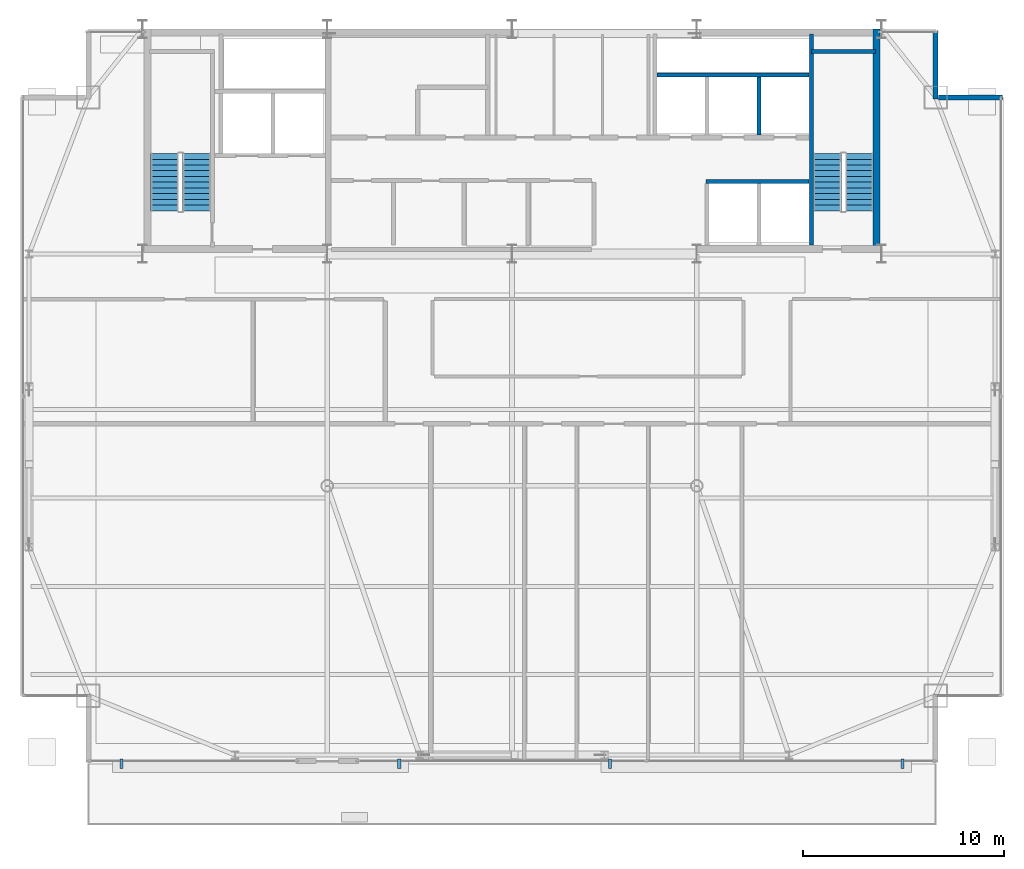
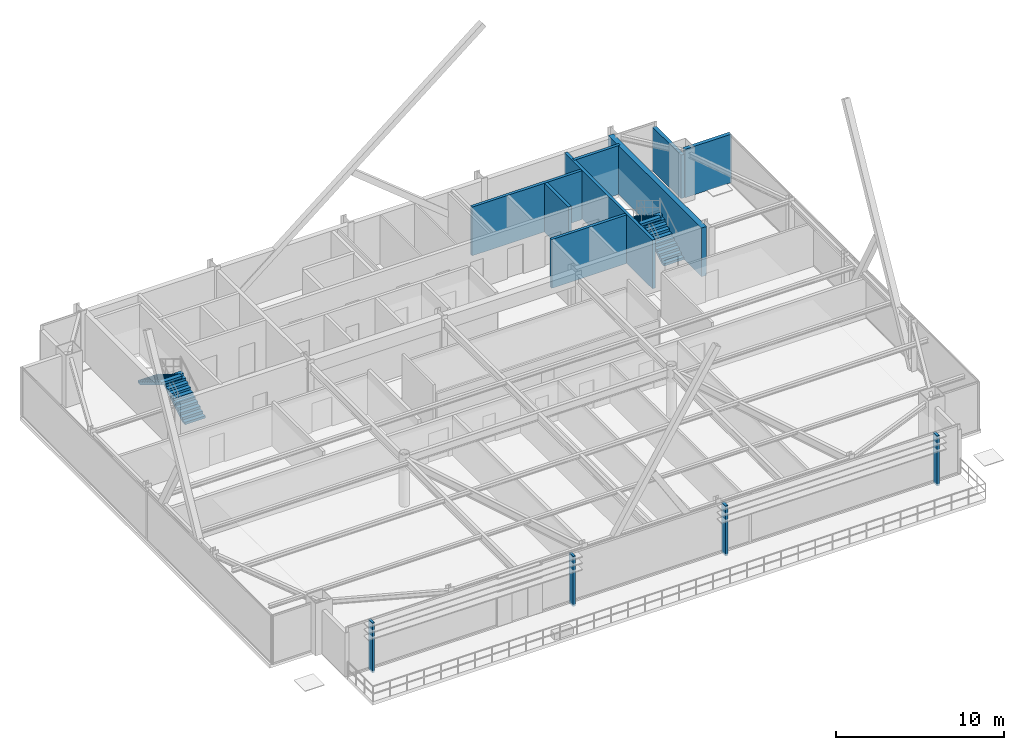
# One storey, part 30 of 33: 8 walls, 4 discrete accessories, 4 stair flights, 2 elements without a shape of their own.
"""IFC4 building model written with IfcOpenShell, lengths in metres."""

from ifc_helpers import new_model, si_unit, direction, frame, frame_2d, origin, origin_2d, place, context, subcontext, project, spatial, polyline, rectangle, outline, extrude, source, transform, mapped, material, layer, layer_set, type_object, type_shapes, element, aggregate, save


model = new_model("IFC4")

# Units and contexts
model_context = context("Model", 3, precision=1e-05, world=origin(), true_north=direction((0.0, 1.0)))
body_context = subcontext(model_context, "Body", "Model", "MODEL_VIEW")
ifc_project = project(units=[si_unit("LENGTHUNIT", "METRE"), si_unit("AREAUNIT", "SQUARE_METRE"), si_unit("VOLUMEUNIT", "CUBIC_METRE"), si_unit("PLANEANGLEUNIT", "RADIAN"), si_unit("MASSUNIT", "GRAM", prefix="KILO")], contexts=[model_context])

# Site, building, storey
site_placement = place(None, origin())
site = spatial("IfcSite", under=ifc_project, at=site_placement, CompositionType="ELEMENT")
building_placement = place(site_placement, origin())
building = spatial("IfcBuilding", under=site, at=building_placement, Name="Varnel Quay Broadcast Tower", CompositionType="ELEMENT")
storey_placement = place(building_placement, frame((0.0, 0.0, 199.800048828125)))
storey = spatial("IfcBuildingStorey", under=building, at=storey_placement, Name="L49", CompositionType="ELEMENT", Elevation=199.800048828125)

# Walls
ifc_material_1 = material(Name="Concrete CSA A23.3 C50/60", Category="concrete")
ifc_layer_1 = layer(ifc_material_1, 0.199951171875, Name="Concrete CSA A23.3 C50/60")
ifc_layer_set_1 = layer_set([ifc_layer_1], Name="Concrete CSA A23.3 C50/60")
wall_type_1 = type_object("IfcWallType", Name="Wall_CoreShaftShear200", PredefinedType="SHEAR", material=ifc_layer_set_1)
wall_1_placement = place(storey_placement, frame((48.919921875, 36.050048828125, 0.0), z_axis=(0.0, 0.0, 1.0), x_axis=(0.0, 1.0, 0.0)))
element("IfcWall", 1, at=wall_1_placement, inside=storey, type_object=wall_type_1, Name="L49 Stair 2 West Structural Wall", PredefinedType="SHEAR", context=body_context, shape_type="SweptSolid", body=[
    extrude(rectangle(XDim=10.5, YDim=0.199951171875, at=frame_2d((5.25, 0.0))), origin(), (0.0, 0.0, 1.0), 3.550048828125),
])
wall_2_placement = place(storey_placement, frame((48.919921875, 45.679931640625, 0.0), z_axis=(0.0, 0.0, 1.0), x_axis=(1.0, 0.0, 0.0)))
element("IfcWall", 2, at=wall_2_placement, inside=storey, type_object=wall_type_1, Name="L49 Stair 2 North Structural Wall", PredefinedType="SHEAR", context=body_context, shape_type="SweptSolid", body=[
    extrude(rectangle(XDim=3.18017578125, YDim=0.199951171875, at=frame_2d((1.590087890625, 0.0))), origin(), (0.0, 0.0, 1.0), 3.550048828125),
])
wall_3_placement = place(storey_placement, frame((41.219970703125, 44.5, 0.0), z_axis=(0.0, 0.0, 1.0), x_axis=(1.0, 0.0, 0.0)))
element("IfcWall", 3, at=wall_3_placement, inside=storey, type_object=wall_type_1, Name="L49 High-Rise Lift Shaft Rear Wall", PredefinedType="SHEAR", context=body_context, shape_type="SweptSolid", body=[
    extrude(rectangle(XDim=7.580078125, YDim=0.199951171875, at=frame_2d((3.7900390625, 0.0))), origin(), (0.0, 0.0, 1.0), 3.550048828125),
])
wall_4_placement = place(storey_placement, frame((46.300048828125, 41.530029296875, 0.0), z_axis=(0.0, 0.0, 1.0), x_axis=(0.0, 1.0, 0.0)))
element("IfcWall", 4, at=wall_4_placement, inside=storey, type_object=wall_type_1, Name="L49 High-Rise Lift Shaft Divider 3", PredefinedType="SHEAR", context=body_context, shape_type="SweptSolid", body=[
    extrude(rectangle(XDim=2.869873046875, YDim=0.199951171875, at=frame_2d((1.43505859375, 0.0))), origin(), (0.0, 0.0, 1.0), 3.550048828125),
])
wall_5_placement = place(storey_placement, frame((43.64990234375, 39.199951171875, 0.0), z_axis=(0.0, 0.0, 1.0), x_axis=(1.0, 0.0, 0.0)))
element("IfcWall", 5, at=wall_5_placement, inside=storey, type_object=wall_type_1, Name="L49 Express Lift Shaft North Front Wall", PredefinedType="SHEAR", context=body_context, shape_type="SweptSolid", body=[
    extrude(rectangle(XDim=5.150146484375, YDim=0.199951171875, at=frame_2d((2.5751953125, 0.0))), origin(), (0.0, 0.0, 1.0), 3.550048828125),
])
ifc_layer_2 = layer(ifc_material_1, 0.35009765625, Name="Concrete CSA A23.3 C50/60")
ifc_layer_set_2 = layer_set([ifc_layer_2], Name="Concrete CSA A23.3 C50/60")
wall_type_2 = type_object("IfcWallType", Name="Wall_CoreShearInt350", PredefinedType="SHEAR", material=ifc_layer_set_2)
wall_6_placement = place(storey_placement, frame((52.155029296875, 35.669921875, 0.0), z_axis=(0.0, 0.0, 1.0), x_axis=(0.0, 1.0, 0.0)))
element("IfcWall", 6, at=wall_6_placement, inside=storey, type_object=wall_type_2, Name="L49 East Core Shear Wall", PredefinedType="SHEAR", context=body_context, shape_type="SweptSolid", body=[
    extrude(rectangle(XDim=11.130126953125, YDim=0.35009765625, at=frame_2d((5.56494140625, 0.0))), origin(), (0.0, 0.0, 1.0), 3.550048828125),
])
ifc_material_2 = material(Name="Precast Architectural Concrete C40/50", Category="concrete")
ifc_layer_3 = layer(ifc_material_2, 0.25, Name="Precast Architectural Concrete C40/50")
ifc_layer_set_3 = layer_set([ifc_layer_3], Name="Precast Architectural Concrete C40/50")
wall_type_3 = type_object("IfcWallType", Name="Wall_ExtTerrace250", PredefinedType="SOLIDWALL", material=ifc_layer_set_3)
wall_7_placement = place(storey_placement, frame((55.22998046875, 43.39990234375, 0.0), z_axis=(0.0, 0.0, 1.0), x_axis=(1.0, 0.0, 0.0)))
element("IfcWall", 7, at=wall_7_placement, inside=storey, type_object=wall_type_3, Name="L49 Mega-Column Notch Cladding Wall NNE1", PredefinedType="SOLIDWALL", context=body_context, shape_type="SweptSolid", body=[
    extrude(rectangle(XDim=3.18994140625, YDim=0.25, at=frame_2d((1.594970703125, 0.0))), origin(), (0.0, 0.0, 1.0), 3.530029296875),
])
wall_8_placement = place(storey_placement, frame((55.10009765625, 43.320068359375, 0.0), z_axis=(0.0, 0.0, 1.0), x_axis=(0.0, 1.0, 0.0)))
element("IfcWall", 8, at=wall_8_placement, inside=storey, type_object=wall_type_3, Name="L49 Mega-Column Notch Cladding Wall NNE2", PredefinedType="SOLIDWALL", context=body_context, shape_type="SweptSolid", body=[
    extrude(rectangle(XDim=3.39990234375, YDim=0.25, at=frame_2d((1.699951171875, 0.0))), origin(), (0.0, 0.0, 1.0), 3.1708984375),
])

# Stair, stair flights
ifc_material_3 = material(Name="Precast Structural Concrete C40/50", Category="concrete")
stair_type_1 = type_object("IfcStairType", Name="Stair_ST-01", PredefinedType="HALF_TURN_STAIR", material=ifc_material_3)
stair_1_placement = place(storey_placement, origin())
stair_1 = element("IfcStair", 9, at=stair_1_placement, inside=storey, type_object=stair_type_1, Name="L49 West Core Exit Stair 1", PredefinedType="HALF_TURN_STAIR")
stair_flight_type_1 = type_object("IfcStairFlightType", Name="Flight_ST-01", PredefinedType="STRAIGHT", material=ifc_material_3)
stair_flight_1_placement = place(storey_placement, frame((18.300048828125, 37.75, 0.0), z_axis=(0.0, 0.0, 1.0), x_axis=(0.0, 1.0, 0.0)))
stair_flight_1 = element("IfcStairFlight", 10, at=stair_flight_1_placement, type_object=stair_flight_type_1, Name="ST-01 flight 1", NumberOfRisers=11, NumberOfTreads=10, PredefinedType="STRAIGHT", RiserHeight=0.172727273, TreadLength=0.285, context=body_context, shape_type="SweptSolid", body=[
    extrude(outline(polyline([(0.0, 0.0), (0.0, 0.172607421875), (0.284912109375, 0.172607421875), (0.284912109375, 0.345458984375), (0.570068359375, 0.345458984375), (0.570068359375, 0.51806640625), (0.85498046875, 0.51806640625), (0.85498046875, 0.69091796875), (1.139892578125, 0.69091796875), (1.139892578125, 0.863525390625), (1.425048828125, 0.863525390625), (1.425048828125, 1.036376953125), (1.7099609375, 1.036376953125), (1.7099609375, 1.208984375), (1.9951171875, 1.208984375), (1.9951171875, 1.3818359375), (2.280029296875, 1.3818359375), (2.280029296875, 1.554443359375), (2.56494140625, 1.554443359375), (2.56494140625, 1.727294921875), (2.85009765625, 1.727294921875), (2.85009765625, 1.89990234375), (2.85009765625, 1.552001953125), (0.289306640625, 0.0), (0.0, 0.0)])), frame((0.0, 0.699951171875, 0.0), z_axis=(0.0, -1.0, 0.0), x_axis=(1.0, 0.0, 0.0)), (0.0, 0.0, 1.0), 1.39990234375),
])
stair_flight_2_placement = place(storey_placement, frame((16.699951171875, 40.60009765625, 1.89990234375), z_axis=(0.0, 0.0, 1.0), x_axis=(0.0, -1.0, 0.0)))
stair_flight_2 = element("IfcStairFlight", 11, at=stair_flight_2_placement, type_object=stair_flight_type_1, Name="ST-01 flight 2", NumberOfRisers=11, NumberOfTreads=10, PredefinedType="STRAIGHT", RiserHeight=0.172727273, TreadLength=0.285, context=body_context, shape_type="SweptSolid", body=[
    extrude(outline(polyline([(0.0, 0.0), (0.0, 0.172607421875), (0.284912109375, 0.172607421875), (0.284912109375, 0.345458984375), (0.570068359375, 0.345458984375), (0.570068359375, 0.51806640625), (0.85498046875, 0.51806640625), (0.85498046875, 0.69091796875), (1.139892578125, 0.69091796875), (1.139892578125, 0.863525390625), (1.425048828125, 0.863525390625), (1.425048828125, 1.036376953125), (1.7099609375, 1.036376953125), (1.7099609375, 1.208984375), (1.9951171875, 1.208984375), (1.9951171875, 1.3818359375), (2.280029296875, 1.3818359375), (2.280029296875, 1.554443359375), (2.56494140625, 1.554443359375), (2.56494140625, 1.727294921875), (2.85009765625, 1.727294921875), (2.85009765625, 1.89990234375), (2.85009765625, 1.552001953125), (0.289306640625, 0.0), (0.0, 0.0)])), frame((0.0, 0.699951171875, 0.0), z_axis=(0.0, -1.0, 0.0), x_axis=(1.0, 0.0, 0.0)), (0.0, 0.0, 1.0), 1.39990234375),
])
aggregate(stair_1, [stair_flight_1, stair_flight_2])

stair_type_2 = type_object("IfcStairType", Name="Stair_ST-02", PredefinedType="HALF_TURN_STAIR", material=ifc_material_3)
stair_2_placement = place(storey_placement, origin())
stair_2 = element("IfcStair", 12, at=stair_2_placement, inside=storey, type_object=stair_type_2, Name="L49 East Core Exit Stair 2", PredefinedType="HALF_TURN_STAIR")
stair_flight_type_2 = type_object("IfcStairFlightType", Name="Flight_ST-02", PredefinedType="STRAIGHT", material=ifc_material_3)
stair_flight_3_placement = place(storey_placement, frame((51.300048828125, 37.75, 0.0), z_axis=(0.0, 0.0, 1.0), x_axis=(0.0, 1.0, 0.0)))
stair_flight_3 = element("IfcStairFlight", 13, at=stair_flight_3_placement, type_object=stair_flight_type_2, Name="ST-02 flight 1", NumberOfRisers=11, NumberOfTreads=10, PredefinedType="STRAIGHT", RiserHeight=0.172727273, TreadLength=0.285, context=body_context, shape_type="SweptSolid", body=[
    extrude(outline(polyline([(0.0, 0.0), (0.0, 0.172607421875), (0.284912109375, 0.172607421875), (0.284912109375, 0.345458984375), (0.570068359375, 0.345458984375), (0.570068359375, 0.51806640625), (0.85498046875, 0.51806640625), (0.85498046875, 0.69091796875), (1.139892578125, 0.69091796875), (1.139892578125, 0.863525390625), (1.425048828125, 0.863525390625), (1.425048828125, 1.036376953125), (1.7099609375, 1.036376953125), (1.7099609375, 1.208984375), (1.9951171875, 1.208984375), (1.9951171875, 1.3818359375), (2.280029296875, 1.3818359375), (2.280029296875, 1.554443359375), (2.56494140625, 1.554443359375), (2.56494140625, 1.727294921875), (2.85009765625, 1.727294921875), (2.85009765625, 1.89990234375), (2.85009765625, 1.552001953125), (0.289306640625, 0.0), (0.0, 0.0)])), frame((0.0, 0.699951171875, 0.0), z_axis=(0.0, -1.0, 0.0), x_axis=(1.0, 0.0, 0.0)), (0.0, 0.0, 1.0), 1.39990234375),
])
stair_flight_4_placement = place(storey_placement, frame((49.699951171875, 40.60009765625, 1.89990234375), z_axis=(0.0, 0.0, 1.0), x_axis=(0.0, -1.0, 0.0)))
stair_flight_4 = element("IfcStairFlight", 14, at=stair_flight_4_placement, type_object=stair_flight_type_2, Name="ST-02 flight 2", NumberOfRisers=11, NumberOfTreads=10, PredefinedType="STRAIGHT", RiserHeight=0.172727273, TreadLength=0.285, context=body_context, shape_type="SweptSolid", body=[
    extrude(outline(polyline([(0.0, 0.0), (0.0, 0.172607421875), (0.284912109375, 0.172607421875), (0.284912109375, 0.345458984375), (0.570068359375, 0.345458984375), (0.570068359375, 0.51806640625), (0.85498046875, 0.51806640625), (0.85498046875, 0.69091796875), (1.139892578125, 0.69091796875), (1.139892578125, 0.863525390625), (1.425048828125, 0.863525390625), (1.425048828125, 1.036376953125), (1.7099609375, 1.036376953125), (1.7099609375, 1.208984375), (1.9951171875, 1.208984375), (1.9951171875, 1.3818359375), (2.280029296875, 1.3818359375), (2.280029296875, 1.554443359375), (2.56494140625, 1.554443359375), (2.56494140625, 1.727294921875), (2.85009765625, 1.727294921875), (2.85009765625, 1.89990234375), (2.85009765625, 1.552001953125), (0.289306640625, 0.0), (0.0, 0.0)])), frame((0.0, 0.699951171875, 0.0), z_axis=(0.0, -1.0, 0.0), x_axis=(1.0, 0.0, 0.0)), (0.0, 0.0, 1.0), 1.39990234375),
])
aggregate(stair_2, [stair_flight_3, stair_flight_4])

# Discrete accessories
ifc_material_4 = material(Name="Anodised Bronze Aluminium 6063-T6", Category="aluminium")
ifc_layer_4 = layer(ifc_material_4, 0.47998046875, Name="Anodised Bronze Aluminium 6063-T6")
ifc_layer_set_4 = layer_set([ifc_layer_4], Name="Anodised Bronze Aluminium 6063-T6")
discrete_accessory_type = type_object("IfcDiscreteAccessoryType", Name="Acc_FacadeBracket", PredefinedType="BRACKET", material=ifc_layer_set_4)
shared_shape = source(origin(), body_context, "Body", "SweptSolid", [
    extrude(rectangle(XDim=0.159912109375, YDim=0.47998046875, at=origin_2d()), origin(), (0.0, 0.0, 1.0), 3.64990234375),
])
type_shapes(discrete_accessory_type, [shared_shape])
for number, where, z_axis, x_axis, name in (
    (15, (14.550048828125, 10.219970703125, -0.14990234375), (0.0, 0.0, 1.0), (1.0, 0.0, 0.0), "L49 Lobe 1 Louvre Support Bracket 1"),
    (16, (28.384033203125, 10.219970703125, -0.14990234375), (0.0, 0.0, 1.0), (1.0, 0.0, 0.0), "L49 Lobe 1 Louvre Support Bracket 2"),
    (17, (38.884033203125, 10.219970703125, -0.14990234375), (0.0, 0.0, 1.0), (1.0, 0.0, 0.0), "L49 Lobe 2 Louvre Support Bracket 1"),
    (18, (53.449951171875, 10.219970703125, -0.14990234375), (0.0, 0.0, 1.0), (1.0, 0.0, 0.0), "L49 Lobe 2 Louvre Support Bracket 2"),
):
    element("IfcDiscreteAccessory", number, at=place(storey_placement, frame(where, z_axis=z_axis, x_axis=x_axis)), inside=storey, type_object=discrete_accessory_type, Name=name, PredefinedType="BRACKET", context=body_context, shape_type="MappedRepresentation", body=[
        mapped(shared_shape, transform((0.0, 0.0, 0.0), x_axis=(1.0, 0.0, 0.0), y_axis=(0.0, 1.0, 0.0), z_axis=(0.0, 0.0, 1.0), scale=1.0)),
    ])

save(model, "model.ifc")
